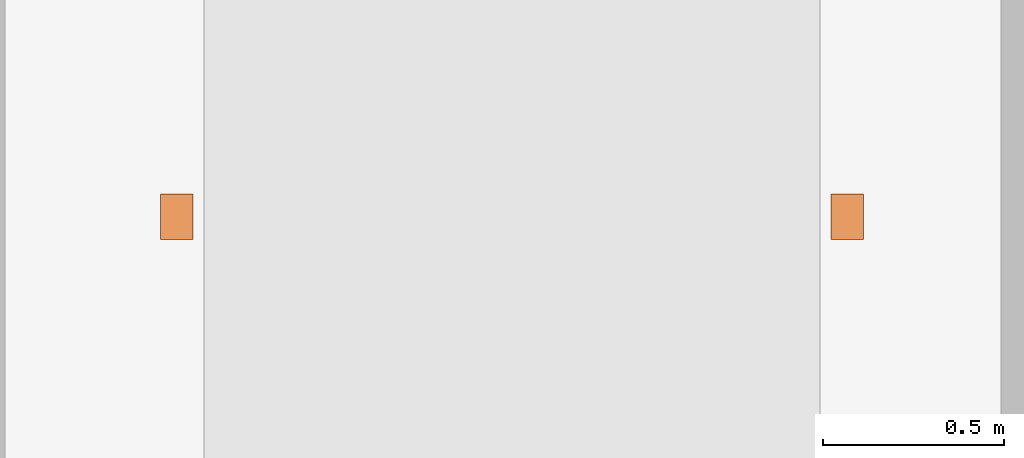
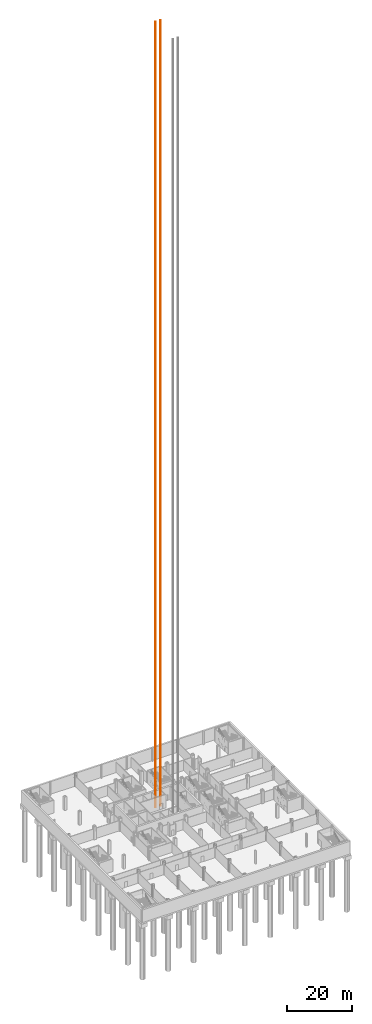
# One storey, part 28 of 28: 1 proxy.
"""IFC4 building model written with IfcOpenShell, lengths in metres."""

from ifc_helpers import new_model, si_unit, direction, frame, frame_2d, origin, place, context, subcontext, project, spatial, rectangle, extrude, material, type_object, element, save


model = new_model("IFC4")

# Units and contexts
model_context = context("Model", 3, precision=1e-05, world=origin(), true_north=direction((0.0, 1.0)))
body_context = subcontext(model_context, "Body", "Model", "MODEL_VIEW")
ifc_project = project(units=[si_unit("LENGTHUNIT", "METRE"), si_unit("AREAUNIT", "SQUARE_METRE"), si_unit("VOLUMEUNIT", "CUBIC_METRE"), si_unit("PLANEANGLEUNIT", "RADIAN"), si_unit("MASSUNIT", "GRAM", prefix="KILO")], contexts=[model_context])

# Site, building, storey
site_placement = place(None, origin())
site = spatial("IfcSite", under=ifc_project, at=site_placement, CompositionType="ELEMENT")
building_placement = place(site_placement, origin())
building = spatial("IfcBuilding", under=site, at=building_placement, Name="Loomwork Tower", CompositionType="ELEMENT")
storey_placement = place(building_placement, frame((0.0, 0.0, -10.5)))
storey = spatial("IfcBuildingStorey", under=building, at=storey_placement, Name="B2", CompositionType="ELEMENT", Elevation=-10.5)

# Proxy
ifc_material = material(Name="Steel guide rails", Category="steel")
building_element_proxy_type = type_object("IfcBuildingElementProxyType", Name="Lift guide rail frame", PredefinedType="USERDEFINED", material=ifc_material)
proxy_placement = place(storey_placement, frame((25.5, 23.39990234375, 0.0), z_axis=(0.0, 0.0, 1.0), x_axis=(1.0, 0.0, 0.0)))
element("IfcBuildingElementProxy", 1, at=proxy_placement, inside=storey, type_object=building_element_proxy_type, Name="Lift guide rail frame LF2", ObjectType="LIFT GUIDE RAIL FRAME", PredefinedType="USERDEFINED", context=body_context, shape_type="SweptSolid", body=[
    extrude(rectangle(XDim=0.090087890625, YDim=0.125, at=frame_2d((-0.925048828125, 0.0))), origin(), (0.0, 0.0, 1.0), 292.699951171875),
    extrude(rectangle(XDim=0.090087890625, YDim=0.125, at=frame_2d((0.925048828125, 0.0))), origin(), (0.0, 0.0, 1.0), 292.699951171875),
])

save(model, "model.ifc")
